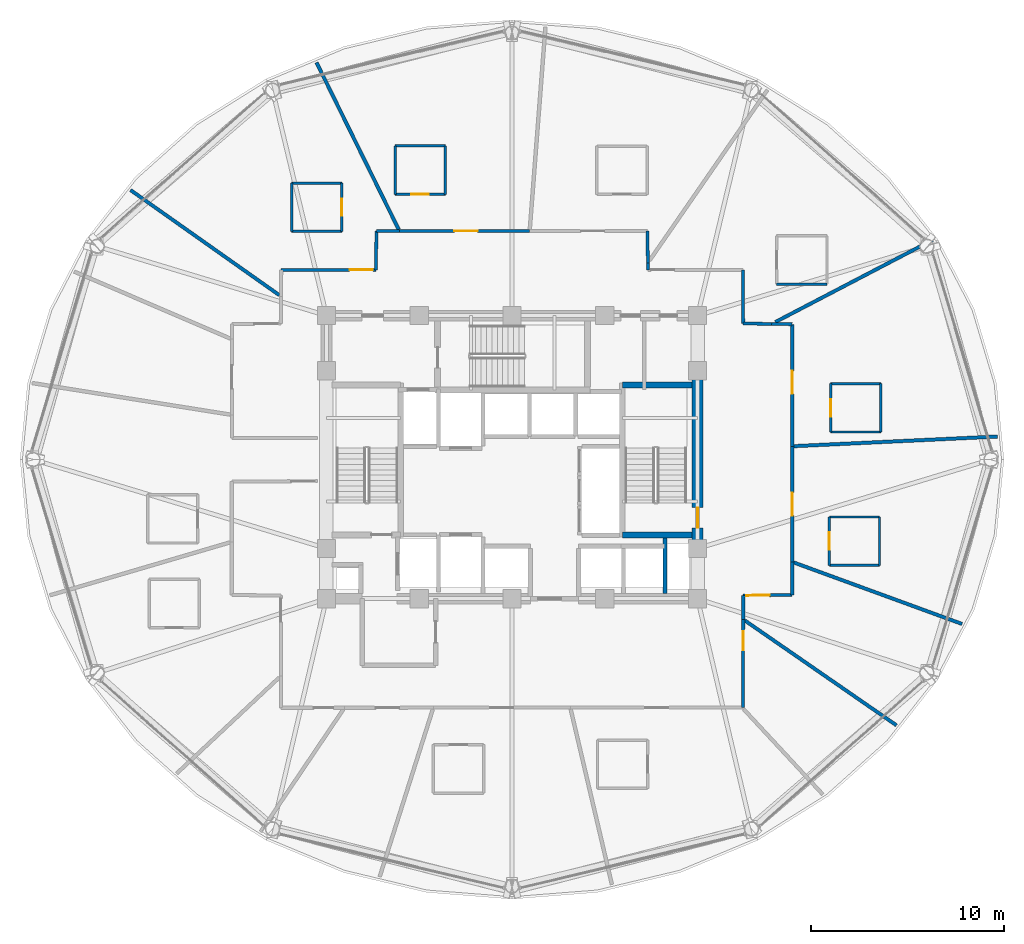
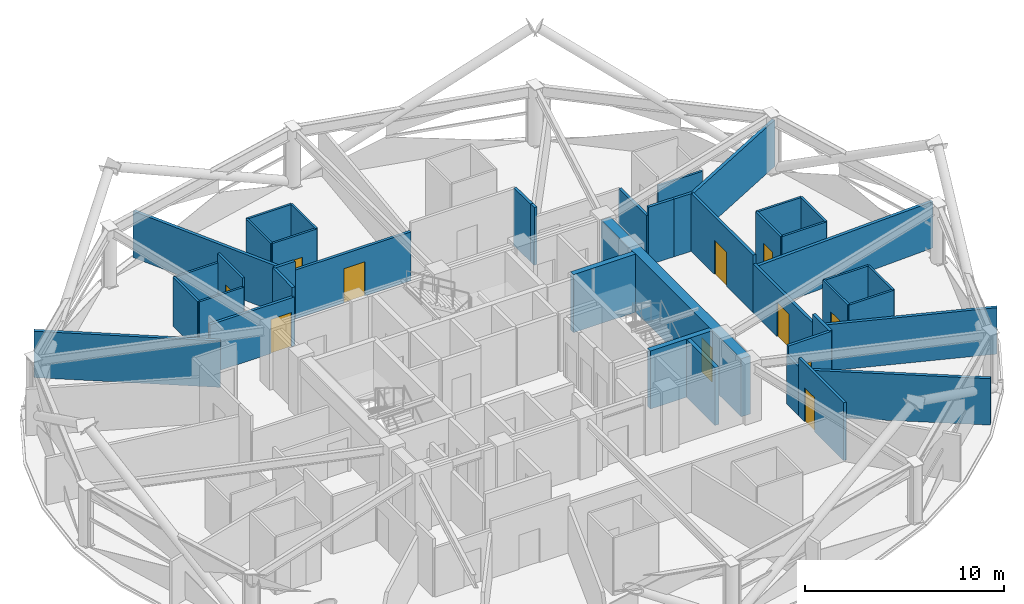
# One storey, part 24 of 29: 42 walls, 11 doors, 11 openings.
"""IFC4 building model written with IfcOpenShell, lengths in metres."""

from ifc_helpers import new_model, si_unit, direction, frame, frame_2d, origin, place, context, subcontext, project, spatial, rectangle, extrude, material, layer, layer_set, type_object, element, fill, save


model = new_model("IFC4")

# Units and contexts
model_context = context("Model", 3, precision=1e-05, world=origin(), true_north=direction((0.0, 1.0)))
body_context = subcontext(model_context, "Body", "Model", "MODEL_VIEW")
ifc_project = project(units=[si_unit("LENGTHUNIT", "METRE"), si_unit("AREAUNIT", "SQUARE_METRE"), si_unit("VOLUMEUNIT", "CUBIC_METRE"), si_unit("PLANEANGLEUNIT", "RADIAN"), si_unit("MASSUNIT", "GRAM", prefix="KILO")], contexts=[model_context])

# Site, building, storey
site_placement = place(None, origin())
site = spatial("IfcSite", under=ifc_project, at=site_placement, CompositionType="ELEMENT")
building_placement = place(site_placement, origin())
building = spatial("IfcBuilding", under=site, at=building_placement, Name="Vantalir Tower", CompositionType="ELEMENT")
storey_placement = place(building_placement, frame((0.0, 0.0, 157.199951171875)))
storey = spatial("IfcBuildingStorey", under=building, at=storey_placement, Name="L39", CompositionType="ELEMENT", Elevation=157.199951171875)

# Walls
ifc_material_1 = material(Name="Moisture-resistant en-suite partition", Category="gypsum")
ifc_layer_1 = layer(ifc_material_1, 0.125)
ifc_layer_set_1 = layer_set([ifc_layer_1], Name="Moisture-resistant en-suite partition")
wall_type_1 = type_object("IfcWallType", Name="WL-BATH-125", PredefinedType="PARTITIONING", material=ifc_layer_set_1)
for number, where, z_axis, x_axis, name in (
    (1, (47.988037109375, 26.425048828125, 0.0), (0.0, 0.0, 1.0), (1.0, 0.0, 0.0), "L39 En-suite 01 South Wall"),
    (2, (47.988037109375, 28.925048828125, 0.0), (0.0, 0.0, 1.0), (1.0, 0.0, 0.0), "L39 En-suite 01 North Wall"),
):
    element("IfcWall", number, at=place(storey_placement, frame(where, z_axis=z_axis, x_axis=x_axis)), inside=storey, type_object=wall_type_1, Name=name, PredefinedType="PARTITIONING", context=body_context, shape_type="SweptSolid", body=[
        extrude(rectangle(XDim=2.599853515625, YDim=0.125, at=frame_2d((1.2998046875, 0.0))), origin(), (0.0, 0.0, 1.0), 3.550048828125),
    ])

# Wall, opening, door
wall_1_placement = place(storey_placement, frame((47.988037109375, 26.425048828125, 0.0), z_axis=(0.0, 0.0, 1.0), x_axis=(0.0, 1.0, 0.0)))
wall_1 = element("IfcWall", 3, at=wall_1_placement, inside=storey, type_object=wall_type_1, Name="L39 En-suite 01 West Wall", PredefinedType="PARTITIONING", context=body_context, shape_type="SweptSolid", body=[
    extrude(rectangle(XDim=2.5, YDim=0.125, at=frame_2d((1.25, 0.0))), origin(), (0.0, 0.0, 1.0), 3.550048828125),
])
opening_1_placement = place(wall_1_placement, frame((0.800048828125, 0.0, 0.0)))
opening_1 = element("IfcOpeningElement", 4, at=opening_1_placement, cuts=wall_1, Name="Opening D-WC", PredefinedType="OPENING", context=body_context, shape_type="SweptSolid", body=[
    extrude(rectangle(XDim=0.89990234375, YDim=2.10009765625, at=frame_2d((0.449951171875, 1.050048828125))), frame((0.0, 0.072509765625, 0.0), z_axis=(0.0, -1.0, 0.0), x_axis=(1.0, 0.0, 0.0)), (0.0, 0.0, 1.0), 0.14501953125),
])
ifc_material_2 = material(Name="Moisture-resistant hardwood door", Category="wood")
door_type_1 = type_object("IfcDoorType", Name="DR-ENSUITE-900", OperationType="NOTDEFINED", PredefinedType="DOOR", material=ifc_material_2)
door_1_placement = place(opening_1_placement, frame((0.89990234375, 0.0, 0.0), z_axis=(0.0, 0.0, 1.0), x_axis=(-1.0, 0.0, 0.0)))
door_1 = element("IfcDoor", 5, at=door_1_placement, inside=storey, type_object=door_type_1, Name="L39 En-suite 01 Door", OperationType="SINGLE_SWING_LEFT", OverallHeight=2.10009765625, OverallWidth=0.89990234375, PredefinedType="DOOR", context=body_context, shape_type="SweptSolid", body=[
    extrude(rectangle(XDim=0.89990234375, YDim=2.10009765625, at=frame_2d((0.449951171875, 1.050048828125))), frame((0.0, 0.02490234375, 0.0), z_axis=(0.0, -1.0, 0.0), x_axis=(1.0, 0.0, 0.0)), (0.0, 0.0, 1.0), 0.050048828125),
])
fill(opening_1, door_1)

# Walls
wall_2_placement = place(storey_placement, frame((50.587890625, 26.425048828125, 0.0), z_axis=(0.0, 0.0, 1.0), x_axis=(0.0, 1.0, 0.0)))
element("IfcWall", 6, at=wall_2_placement, inside=storey, type_object=wall_type_1, Name="L39 En-suite 01 East Wall", PredefinedType="PARTITIONING", context=body_context, shape_type="SweptSolid", body=[
    extrude(rectangle(XDim=2.5, YDim=0.125, at=frame_2d((1.25, 0.0))), origin(), (0.0, 0.0, 1.0), 3.550048828125),
])
wall_3_placement = place(storey_placement, frame((45.198974609375, 34.080078125, 0.0), z_axis=(0.0, 0.0, 1.0), x_axis=(1.0, 0.0, 0.0)))
element("IfcWall", 7, at=wall_3_placement, inside=storey, type_object=wall_type_1, Name="L39 En-suite 02 South Wall", PredefinedType="PARTITIONING", context=body_context, shape_type="SweptSolid", body=[
    extrude(rectangle(XDim=2.60009765625, YDim=0.125, at=frame_2d((1.300048828125, 0.0))), origin(), (0.0, 0.0, 1.0), 3.006103515625),
])

# Wall, opening, door
wall_4_placement = place(storey_placement, frame((25.448974609375, 38.72705078125, 0.0), z_axis=(0.0, 0.0, 1.0), x_axis=(1.0, 0.0, 0.0)))
wall_4 = element("IfcWall", 8, at=wall_4_placement, inside=storey, type_object=wall_type_1, Name="L39 En-suite 04 South Wall", PredefinedType="PARTITIONING", context=body_context, shape_type="SweptSolid", body=[
    extrude(rectangle(XDim=2.60009765625, YDim=0.125, at=frame_2d((1.300048828125, 0.0))), origin(), (0.0, 0.0, 1.0), 3.550048828125),
])
opening_2_placement = place(wall_4_placement, frame((0.85009765625, 0.0, 0.0)))
opening_2 = element("IfcOpeningElement", 9, at=opening_2_placement, cuts=wall_4, Name="Opening D-WC", PredefinedType="OPENING", context=body_context, shape_type="SweptSolid", body=[
    extrude(rectangle(XDim=0.89990234375, YDim=2.10009765625, at=frame_2d((0.449951171875, 1.050048828125))), frame((0.0, 0.072509765625, 0.0), z_axis=(0.0, -1.0, 0.0), x_axis=(1.0, 0.0, 0.0)), (0.0, 0.0, 1.0), 0.14501953125),
])
door_2_placement = place(opening_2_placement, origin())
door_2 = element("IfcDoor", 10, at=door_2_placement, inside=storey, type_object=door_type_1, Name="L39 En-suite 04 Door", OperationType="SINGLE_SWING_RIGHT", OverallHeight=2.10009765625, OverallWidth=0.89990234375, PredefinedType="DOOR", context=body_context, shape_type="SweptSolid", body=[
    extrude(rectangle(XDim=0.89990234375, YDim=2.10009765625, at=frame_2d((0.449951171875, 1.050048828125))), frame((0.0, 0.02490234375, 0.0), z_axis=(0.0, -1.0, 0.0), x_axis=(1.0, 0.0, 0.0)), (0.0, 0.0, 1.0), 0.050048828125),
])
fill(opening_2, door_2)

# Walls
wall_5_placement = place(storey_placement, frame((25.448974609375, 41.22705078125, 0.0), z_axis=(0.0, 0.0, 1.0), x_axis=(1.0, 0.0, 0.0)))
element("IfcWall", 11, at=wall_5_placement, inside=storey, type_object=wall_type_1, Name="L39 En-suite 04 North Wall", PredefinedType="PARTITIONING", context=body_context, shape_type="SweptSolid", body=[
    extrude(rectangle(XDim=2.60009765625, YDim=0.125, at=frame_2d((1.300048828125, 0.0))), origin(), (0.0, 0.0, 1.0), 3.550048828125),
])
for number, where, z_axis, x_axis, name in (
    (12, (25.448974609375, 38.72705078125, 0.0), (0.0, 0.0, 1.0), (0.0, 1.0, 0.0), "L39 En-suite 04 West Wall"),
    (13, (28.049072265625, 38.72705078125, 0.0), (0.0, 0.0, 1.0), (0.0, 1.0, 0.0), "L39 En-suite 04 East Wall"),
):
    element("IfcWall", number, at=place(storey_placement, frame(where, z_axis=z_axis, x_axis=x_axis)), inside=storey, type_object=wall_type_1, Name=name, PredefinedType="PARTITIONING", context=body_context, shape_type="SweptSolid", body=[
        extrude(rectangle(XDim=2.5, YDim=0.125, at=frame_2d((1.25, 0.0))), origin(), (0.0, 0.0, 1.0), 3.550048828125),
    ])
for number, where, z_axis, x_axis, name in (
    (14, (20.097900390625, 36.806884765625, 0.0), (0.0, 0.0, 1.0), (1.0, 0.0, 0.0), "L39 En-suite 05 South Wall"),
    (15, (20.097900390625, 39.306884765625, 0.0), (0.0, 0.0, 1.0), (1.0, 0.0, 0.0), "L39 En-suite 05 North Wall"),
):
    element("IfcWall", number, at=place(storey_placement, frame(where, z_axis=z_axis, x_axis=x_axis)), inside=storey, type_object=wall_type_1, Name=name, PredefinedType="PARTITIONING", context=body_context, shape_type="SweptSolid", body=[
        extrude(rectangle(XDim=2.60009765625, YDim=0.125, at=frame_2d((1.300048828125, 0.0))), origin(), (0.0, 0.0, 1.0), 3.006103515625),
    ])
wall_6_placement = place(storey_placement, frame((20.097900390625, 36.806884765625, 0.0), z_axis=(0.0, 0.0, 1.0), x_axis=(0.0, 1.0, 0.0)))
element("IfcWall", 16, at=wall_6_placement, inside=storey, type_object=wall_type_1, Name="L39 En-suite 05 West Wall", PredefinedType="PARTITIONING", context=body_context, shape_type="SweptSolid", body=[
    extrude(rectangle(XDim=2.5, YDim=0.125, at=frame_2d((1.25, 0.0))), origin(), (0.0, 0.0, 1.0), 3.006103515625),
])

# Wall, opening, door
wall_7_placement = place(storey_placement, frame((22.697998046875, 36.806884765625, 0.0), z_axis=(0.0, 0.0, 1.0), x_axis=(0.0, 1.0, 0.0)))
wall_7 = element("IfcWall", 17, at=wall_7_placement, inside=storey, type_object=wall_type_1, Name="L39 En-suite 05 East Wall", PredefinedType="PARTITIONING", context=body_context, shape_type="SweptSolid", body=[
    extrude(rectangle(XDim=2.5, YDim=0.125, at=frame_2d((1.25, 0.0))), origin(), (0.0, 0.0, 1.0), 3.550048828125),
])
opening_3_placement = place(wall_7_placement, frame((0.800048828125, 0.0, 0.0)))
opening_3 = element("IfcOpeningElement", 18, at=opening_3_placement, cuts=wall_7, Name="Opening D-WC", PredefinedType="OPENING", context=body_context, shape_type="SweptSolid", body=[
    extrude(rectangle(XDim=0.89990234375, YDim=2.10009765625, at=frame_2d((0.449951171875, 1.050048828125))), frame((0.0, 0.072509765625, 0.0), z_axis=(0.0, -1.0, 0.0), x_axis=(1.0, 0.0, 0.0)), (0.0, 0.0, 1.0), 0.14501953125),
])
door_3_placement = place(opening_3_placement, origin())
door_3 = element("IfcDoor", 19, at=door_3_placement, inside=storey, type_object=door_type_1, Name="L39 En-suite 05 Door", OperationType="SINGLE_SWING_LEFT", OverallHeight=2.10009765625, OverallWidth=0.89990234375, PredefinedType="DOOR", context=body_context, shape_type="SweptSolid", body=[
    extrude(rectangle(XDim=0.89990234375, YDim=2.10009765625, at=frame_2d((0.449951171875, 1.050048828125))), frame((0.0, 0.02490234375, 0.0), z_axis=(0.0, -1.0, 0.0), x_axis=(1.0, 0.0, 0.0)), (0.0, 0.0, 1.0), 0.050048828125),
])
fill(opening_3, door_3)

# Walls
for number, where, z_axis, x_axis, name in (
    (20, (47.9169921875, 19.527099609375, 0.0), (0.0, 0.0, 1.0), (1.0, 0.0, 0.0), "L39 En-suite 16 South Wall"),
    (21, (47.9169921875, 22.027099609375, 0.0), (0.0, 0.0, 1.0), (1.0, 0.0, 0.0), "L39 En-suite 16 North Wall"),
):
    element("IfcWall", number, at=place(storey_placement, frame(where, z_axis=z_axis, x_axis=x_axis)), inside=storey, type_object=wall_type_1, Name=name, PredefinedType="PARTITIONING", context=body_context, shape_type="SweptSolid", body=[
        extrude(rectangle(XDim=2.60009765625, YDim=0.125, at=frame_2d((1.300048828125, 0.0))), origin(), (0.0, 0.0, 1.0), 3.550048828125),
    ])

# Wall, opening, door
wall_8_placement = place(storey_placement, frame((47.9169921875, 19.527099609375, 0.0), z_axis=(0.0, 0.0, 1.0), x_axis=(0.0, 1.0, 0.0)))
wall_8 = element("IfcWall", 22, at=wall_8_placement, inside=storey, type_object=wall_type_1, Name="L39 En-suite 16 West Wall", PredefinedType="PARTITIONING", context=body_context, shape_type="SweptSolid", body=[
    extrude(rectangle(XDim=2.5, YDim=0.125, at=frame_2d((1.25, 0.0))), origin(), (0.0, 0.0, 1.0), 3.550048828125),
])
opening_4_placement = place(wall_8_placement, frame((0.800048828125, 0.0, 0.0)))
opening_4 = element("IfcOpeningElement", 23, at=opening_4_placement, cuts=wall_8, Name="Opening D-WC", PredefinedType="OPENING", context=body_context, shape_type="SweptSolid", body=[
    extrude(rectangle(XDim=0.89990234375, YDim=2.10009765625, at=frame_2d((0.449951171875, 1.050048828125))), frame((0.0, 0.072509765625, 0.0), z_axis=(0.0, -1.0, 0.0), x_axis=(1.0, 0.0, 0.0)), (0.0, 0.0, 1.0), 0.14501953125),
])
door_4_placement = place(opening_4_placement, frame((0.89990234375, 0.0, 0.0), z_axis=(0.0, 0.0, 1.0), x_axis=(-1.0, 0.0, 0.0)))
door_4 = element("IfcDoor", 24, at=door_4_placement, inside=storey, type_object=door_type_1, Name="L39 En-suite 16 Door", OperationType="SINGLE_SWING_RIGHT", OverallHeight=2.10009765625, OverallWidth=0.89990234375, PredefinedType="DOOR", context=body_context, shape_type="SweptSolid", body=[
    extrude(rectangle(XDim=0.89990234375, YDim=2.10009765625, at=frame_2d((0.449951171875, 1.050048828125))), frame((0.0, 0.02490234375, 0.0), z_axis=(0.0, -1.0, 0.0), x_axis=(1.0, 0.0, 0.0)), (0.0, 0.0, 1.0), 0.050048828125),
])
fill(opening_4, door_4)

# Wall
wall_9_placement = place(storey_placement, frame((50.51708984375, 19.527099609375, 0.0), z_axis=(0.0, 0.0, 1.0), x_axis=(0.0, 1.0, 0.0)))
element("IfcWall", 25, at=wall_9_placement, inside=storey, type_object=wall_type_1, Name="L39 En-suite 16 East Wall", PredefinedType="PARTITIONING", context=body_context, shape_type="SweptSolid", body=[
    extrude(rectangle(XDim=2.5, YDim=0.125, at=frame_2d((1.25, 0.0))), origin(), (0.0, 0.0, 1.0), 3.550048828125),
])

# Wall, opening, door
ifc_material_3 = material(Name="Concrete C60/75", Category="concrete")
ifc_layer_2 = layer(ifc_material_3, 0.550048828125)
ifc_layer_set_2 = layer_set([ifc_layer_2], Name="Concrete C60/75")
wall_type_2 = type_object("IfcWallType", Name="WL-CORE-550", PredefinedType="SHEAR", material=ifc_layer_set_2)
wall_10_placement = place(storey_placement, frame((41.10009765625, 18.074951171875, 0.0), z_axis=(0.0, 0.0, 1.0), x_axis=(0.0, 1.0, 0.0)))
wall_10 = element("IfcWall", 26, at=wall_10_placement, inside=storey, type_object=wall_type_2, Name="L39 Core Shear Wall East", PredefinedType="SHEAR", context=body_context, shape_type="SweptSolid", body=[
    extrude(rectangle(XDim=14.10009765625, YDim=0.550048828125, at=frame_2d((7.050048828125, 0.0))), origin(), (0.0, 0.0, 1.0), 3.570068359375),
])
opening_5_placement = place(wall_10_placement, frame((3.385009765625, 0.0, 0.0)))
opening_5 = element("IfcOpeningElement", 27, at=opening_5_placement, cuts=wall_10, Name="Opening D-ST", PredefinedType="OPENING", context=body_context, shape_type="SweptSolid", body=[
    extrude(rectangle(XDim=1.050048828125, YDim=2.10009765625, at=frame_2d((0.52490234375, 1.050048828125))), frame((0.0, 0.284912109375, 0.0), z_axis=(0.0, -1.0, 0.0), x_axis=(1.0, 0.0, 0.0)), (0.0, 0.0, 1.0), 0.570068359375),
])
ifc_material_4 = material(Name="Fire-rated steel door leaf", Category="steel")
door_type_2 = type_object("IfcDoorType", Name="DR-FIRE-STAIR-1050", OperationType="NOTDEFINED", PredefinedType="DOOR", material=ifc_material_4)
door_5_placement = place(opening_5_placement, origin())
door_5 = element("IfcDoor", 28, at=door_5_placement, inside=storey, type_object=door_type_2, Name="L39 Exit Stair ST2 Fire Door", OperationType="SINGLE_SWING_LEFT", OverallHeight=2.10009765625, OverallWidth=1.050048828125, PredefinedType="DOOR", context=body_context, shape_type="SweptSolid", body=[
    extrude(rectangle(XDim=1.050048828125, YDim=2.10009765625, at=frame_2d((0.52490234375, 1.050048828125))), frame((0.0, 0.02490234375, 0.0), z_axis=(0.0, -1.0, 0.0), x_axis=(1.0, 0.0, 0.0)), (0.0, 0.0, 1.0), 0.050048828125),
])
fill(opening_5, door_5)

ifc_material_5 = material(Name="Fire-rated hotel corridor acoustic partition", Category="gypsum")
ifc_layer_3 = layer(ifc_material_5, 0.159912109375)
ifc_layer_set_3 = layer_set([ifc_layer_3], Name="Fire-rated hotel corridor acoustic partition")
wall_type_3 = type_object("IfcWallType", Name="WL-CORR-160", PredefinedType="PARTITIONING", material=ifc_layer_set_3)
wall_11_placement = place(storey_placement, frame((19.56005859375, 34.81201171875, 0.0), z_axis=(0.0, 0.0, 1.0), x_axis=(0.999999821253, 0.000597907217, 0.0)))
wall_11 = element("IfcWall", 29, at=wall_11_placement, inside=storey, type_object=wall_type_3, Name="L39 Corridor Partition 08", PredefinedType="PARTITIONING", context=body_context, shape_type="SweptSolid", body=[
    extrude(rectangle(XDim=4.89990234375, YDim=0.159912109375, at=frame_2d((2.449951171875, 0.0))), origin(), (0.0, 0.0, 1.0), 3.006103515625),
])
opening_6_placement = place(wall_11_placement, frame((3.5400390625, 0.0, 0.0)))
opening_6 = element("IfcOpeningElement", 30, at=opening_6_placement, cuts=wall_11, Name="Opening D-STE", PredefinedType="OPENING", context=body_context, shape_type="SweptSolid", body=[
    extrude(rectangle(XDim=1.199951171875, YDim=2.10009765625, at=frame_2d((0.60009765625, 1.050048828125))), frame((0.0, 0.08984375, 0.0), z_axis=(0.0, -1.0, 0.0), x_axis=(1.0, 0.0, 0.0)), (0.0, 0.0, 1.0), 0.179931640625),
])
ifc_material_6 = material(Name="Solid-core teak veneer suite entrance door", Category="wood")
door_type_3 = type_object("IfcDoorType", Name="DR-SUITE-ENTRY-1200", OperationType="NOTDEFINED", PredefinedType="DOOR", material=ifc_material_6)
door_6_placement = place(opening_6_placement, origin())
door_6 = element("IfcDoor", 31, at=door_6_placement, inside=storey, type_object=door_type_3, Name="L39 Corner Panorama Hotel Suite 05 Door", OperationType="SINGLE_SWING_RIGHT", OverallHeight=2.10009765625, OverallWidth=1.199951171875, PredefinedType="DOOR", context=body_context, shape_type="SweptSolid", body=[
    extrude(rectangle(XDim=1.199951171875, YDim=2.10009765625, at=frame_2d((0.60009765625, 1.050048828125))), frame((0.0, 0.02490234375, 0.0), z_axis=(0.0, -1.0, 0.0), x_axis=(1.0, 0.0, 0.0)), (0.0, 0.0, 1.0), 0.050048828125),
])
fill(opening_6, door_6)

# Walls
wall_12_placement = place(storey_placement, frame((24.4599609375, 34.81494140625, 0.0), z_axis=(0.0, 0.0, 1.0), x_axis=(0.01251572883, 0.999921675199, 0.0)))
element("IfcWall", 32, at=wall_12_placement, inside=storey, type_object=wall_type_3, Name="L39 Corridor Partition 09", PredefinedType="PARTITIONING", context=body_context, shape_type="SweptSolid", body=[
    extrude(rectangle(XDim=2.00927734375, YDim=0.159912109375, at=frame_2d((1.004638671875, 0.0))), origin(), (0.0, 0.0, 1.0), 3.550048828125),
])
wall_13_placement = place(storey_placement, frame((24.485107421875, 36.823974609375, 0.0), z_axis=(0.0, 0.0, 1.0), x_axis=(0.999999664894, 0.000818665301, 0.0)))
element("IfcWall", 33, at=wall_13_placement, inside=storey, type_object=wall_type_3, Name="L39 Corridor Partition 10", PredefinedType="PARTITIONING", context=body_context, shape_type="SweptSolid", body=[
    extrude(rectangle(XDim=1.19287109375, YDim=0.159912109375, at=frame_2d((0.596435546875, 0.0))), origin(), (0.0, 0.0, 1.0), 3.550048828125),
])

# Wall, opening, door
wall_14_placement = place(storey_placement, frame((25.677978515625, 36.824951171875, 0.0), z_axis=(0.0, 0.0, 1.0), x_axis=(0.999999989491, 0.000144974809, 0.0)))
wall_14 = element("IfcWall", 34, at=wall_14_placement, inside=storey, type_object=wall_type_3, Name="L39 Corridor Partition 11", PredefinedType="PARTITIONING", context=body_context, shape_type="SweptSolid", body=[
    extrude(rectangle(XDim=6.736083984375, YDim=0.159912109375, at=frame_2d((3.3681640625, 0.0))), origin(), (0.0, 0.0, 1.0), 3.006103515625),
])
opening_7_placement = place(wall_14_placement, frame((2.843017578125, 0.0, 0.0)))
opening_7 = element("IfcOpeningElement", 35, at=opening_7_placement, cuts=wall_14, Name="Opening D-STE", PredefinedType="OPENING", context=body_context, shape_type="SweptSolid", body=[
    extrude(rectangle(XDim=1.199951171875, YDim=2.10009765625, at=frame_2d((0.60009765625, 1.050048828125))), frame((0.0, 0.08984375, 0.0), z_axis=(0.0, -1.0, 0.0), x_axis=(1.0, 0.0, 0.0)), (0.0, 0.0, 1.0), 0.179931640625),
])
door_7_placement = place(opening_7_placement, origin())
door_7 = element("IfcDoor", 36, at=door_7_placement, inside=storey, type_object=door_type_3, Name="L39 Executive Club Hotel Suite 04 Door", OperationType="SINGLE_SWING_LEFT", OverallHeight=2.10009765625, OverallWidth=1.199951171875, PredefinedType="DOOR", context=body_context, shape_type="SweptSolid", body=[
    extrude(rectangle(XDim=1.199951171875, YDim=2.10009765625, at=frame_2d((0.60009765625, 1.050048828125))), frame((0.0, 0.02490234375, 0.0), z_axis=(0.0, -1.0, 0.0), x_axis=(1.0, 0.0, 0.0)), (0.0, 0.0, 1.0), 0.050048828125),
])
fill(opening_7, door_7)

# Walls
wall_15_placement = place(storey_placement, frame((38.50390625, 36.826904296875, 0.0), z_axis=(0.0, 0.0, 1.0), x_axis=(0.017616454452, -0.999844818226, 0.0)))
element("IfcWall", 37, at=wall_15_placement, inside=storey, type_object=wall_type_3, Name="L39 Corridor Partition 13", PredefinedType="PARTITIONING", context=body_context, shape_type="SweptSolid", body=[
    extrude(rectangle(XDim=1.649169921875, YDim=0.159912109375, at=frame_2d((0.82470703125, 0.0))), origin(), (0.0, 0.0, 1.0), 3.550048828125),
])
wall_16_placement = place(storey_placement, frame((38.532958984375, 35.177978515625, 0.0), z_axis=(0.0, 0.0, 1.0), x_axis=(0.01949864601, -0.99980988333, 0.0)))
element("IfcWall", 38, at=wall_16_placement, inside=storey, type_object=wall_type_3, Name="L39 Corridor Partition 14", PredefinedType="PARTITIONING", context=body_context, shape_type="SweptSolid", body=[
    extrude(rectangle(XDim=0.363037109375, YDim=0.159912109375, at=frame_2d((0.181640625, 0.0))), origin(), (0.0, 0.0, 1.0), 3.550048828125),
])
wall_17_placement = place(storey_placement, frame((43.447021484375, 34.80810546875, 0.0), z_axis=(0.0, 0.0, 1.0), x_axis=(0.006526585281, -0.999978701615, 0.0)))
element("IfcWall", 39, at=wall_17_placement, inside=storey, type_object=wall_type_3, Name="L39 Corridor Partition 16", PredefinedType="PARTITIONING", context=body_context, shape_type="SweptSolid", body=[
    extrude(rectangle(XDim=2.76806640625, YDim=0.159912109375, at=frame_2d((1.384033203125, 0.0))), origin(), (0.0, 0.0, 1.0), 3.006103515625),
])
wall_18_placement = place(storey_placement, frame((43.465087890625, 32.0400390625, 0.0), z_axis=(0.0, 0.0, 1.0), x_axis=(0.999878959925, -0.015558454268, 0.0)))
element("IfcWall", 40, at=wall_18_placement, inside=storey, type_object=wall_type_3, Name="L39 Corridor Partition 17", PredefinedType="PARTITIONING", context=body_context, shape_type="SweptSolid", body=[
    extrude(rectangle(XDim=1.47509765625, YDim=0.159912109375, at=frame_2d((0.737548828125, 0.0))), origin(), (0.0, 0.0, 1.0), 3.550048828125),
])
wall_19_placement = place(storey_placement, frame((44.93994140625, 32.01708984375, 0.0), z_axis=(0.0, 0.0, 1.0), x_axis=(0.999870072285, -0.016119508305, 0.0)))
element("IfcWall", 41, at=wall_19_placement, inside=storey, type_object=wall_type_3, Name="L39 Corridor Partition 18", PredefinedType="PARTITIONING", context=body_context, shape_type="SweptSolid", body=[
    extrude(rectangle(XDim=1.060302734375, YDim=0.159912109375, at=frame_2d((0.5302734375, 0.0))), origin(), (0.0, 0.0, 1.0), 3.550048828125),
])

# Wall, opening, door
wall_20_placement = place(storey_placement, frame((46.0, 32.0, 0.0), z_axis=(0.0, 0.0, 1.0), x_axis=(0.0, -1.0, 0.0)))
wall_20 = element("IfcWall", 42, at=wall_20_placement, inside=storey, type_object=wall_type_3, Name="L39 Corridor Partition 19", PredefinedType="PARTITIONING", context=body_context, shape_type="SweptSolid", body=[
    extrude(rectangle(XDim=6.31298828125, YDim=0.159912109375, at=frame_2d((3.156494140625, 0.0))), origin(), (0.0, 0.0, 1.0), 3.550048828125),
])
opening_8_placement = place(wall_20_placement, frame((2.406982421875, 0.0, 0.0)))
opening_8 = element("IfcOpeningElement", 43, at=opening_8_placement, cuts=wall_20, Name="Opening D-STE", PredefinedType="OPENING", context=body_context, shape_type="SweptSolid", body=[
    extrude(rectangle(XDim=1.199951171875, YDim=2.10009765625, at=frame_2d((0.60009765625, 1.050048828125))), frame((0.0, 0.08984375, 0.0), z_axis=(0.0, -1.0, 0.0), x_axis=(1.0, 0.0, 0.0)), (0.0, 0.0, 1.0), 0.179931640625),
])
door_8_placement = place(opening_8_placement, origin())
door_8 = element("IfcDoor", 44, at=door_8_placement, inside=storey, type_object=door_type_3, Name="L39 Corner Panorama Hotel Suite 01 Door", OperationType="SINGLE_SWING_RIGHT", OverallHeight=2.10009765625, OverallWidth=1.199951171875, PredefinedType="DOOR", context=body_context, shape_type="SweptSolid", body=[
    extrude(rectangle(XDim=1.199951171875, YDim=2.10009765625, at=frame_2d((0.60009765625, 1.050048828125))), frame((0.0, 0.02490234375, 0.0), z_axis=(0.0, -1.0, 0.0), x_axis=(1.0, 0.0, 0.0)), (0.0, 0.0, 1.0), 0.050048828125),
])
fill(opening_8, door_8)

wall_21_placement = place(storey_placement, frame((46.0, 25.68701171875, 0.0), z_axis=(0.0, 0.0, 1.0), x_axis=(0.0, -1.0, 0.0)))
wall_21 = element("IfcWall", 45, at=wall_21_placement, inside=storey, type_object=wall_type_3, Name="L39 Corridor Partition 20", PredefinedType="PARTITIONING", context=body_context, shape_type="SweptSolid", body=[
    extrude(rectangle(XDim=5.984130859375, YDim=0.159912109375, at=frame_2d((2.9921875, 0.0))), origin(), (0.0, 0.0, 1.0), 3.006103515625),
])
opening_9_placement = place(wall_21_placement, frame((2.39208984375, 0.0, 0.0)))
opening_9 = element("IfcOpeningElement", 46, at=opening_9_placement, cuts=wall_21, Name="Opening D-STE", PredefinedType="OPENING", context=body_context, shape_type="SweptSolid", body=[
    extrude(rectangle(XDim=1.199951171875, YDim=2.10009765625, at=frame_2d((0.60009765625, 1.050048828125))), frame((0.0, 0.08984375, 0.0), z_axis=(0.0, -1.0, 0.0), x_axis=(1.0, 0.0, 0.0)), (0.0, 0.0, 1.0), 0.179931640625),
])
door_9_placement = place(opening_9_placement, origin())
door_9 = element("IfcDoor", 47, at=door_9_placement, inside=storey, type_object=door_type_3, Name="L39 Corner Panorama Hotel Suite 16 Door", OperationType="SINGLE_SWING_LEFT", OverallHeight=2.10009765625, OverallWidth=1.199951171875, PredefinedType="DOOR", context=body_context, shape_type="SweptSolid", body=[
    extrude(rectangle(XDim=1.199951171875, YDim=2.10009765625, at=frame_2d((0.60009765625, 1.050048828125))), frame((0.0, 0.02490234375, 0.0), z_axis=(0.0, -1.0, 0.0), x_axis=(1.0, 0.0, 0.0)), (0.0, 0.0, 1.0), 0.050048828125),
])
fill(opening_9, door_9)

# Wall
wall_22_placement = place(storey_placement, frame((46.0, 19.702880859375, 0.0), z_axis=(0.0, 0.0, 1.0), x_axis=(0.0, -1.0, 0.0)))
element("IfcWall", 48, at=wall_22_placement, inside=storey, type_object=wall_type_3, Name="L39 Corridor Partition 21", PredefinedType="PARTITIONING", context=body_context, shape_type="SweptSolid", body=[
    extrude(rectangle(XDim=1.706787109375, YDim=0.159912109375, at=frame_2d((0.853515625, 0.0))), origin(), (0.0, 0.0, 1.0), 3.550048828125),
])

# Wall, opening, door
wall_23_placement = place(storey_placement, frame((46.0, 17.99609375, 0.0), z_axis=(0.0, 0.0, 1.0), x_axis=(-0.999898426234, -0.014252621312, 0.0)))
wall_23 = element("IfcWall", 49, at=wall_23_placement, inside=storey, type_object=wall_type_3, Name="L39 Corridor Partition 22", PredefinedType="PARTITIONING", context=body_context, shape_type="SweptSolid", body=[
    extrude(rectangle(XDim=2.53515625, YDim=0.159912109375, at=frame_2d((1.267578125, 0.0))), origin(), (0.0, 0.0, 1.0), 3.550048828125),
])
opening_10_placement = place(wall_23_placement, frame((1.175048828125, 0.0, 0.0)))
opening_10 = element("IfcOpeningElement", 50, at=opening_10_placement, cuts=wall_23, Name="Opening D-STE", PredefinedType="OPENING", context=body_context, shape_type="SweptSolid", body=[
    extrude(rectangle(XDim=1.199951171875, YDim=2.10009765625, at=frame_2d((0.60009765625, 1.050048828125))), frame((0.0, 0.08984375, 0.0), z_axis=(0.0, -1.0, 0.0), x_axis=(1.0, 0.0, 0.0)), (0.0, 0.0, 1.0), 0.179931640625),
])
door_10_placement = place(opening_10_placement, origin())
door_10 = element("IfcDoor", 51, at=door_10_placement, inside=storey, type_object=door_type_3, Name="L39 Club Reading Lounge 15 Door", OperationType="SINGLE_SWING_RIGHT", OverallHeight=2.10009765625, OverallWidth=1.199951171875, PredefinedType="DOOR", context=body_context, shape_type="SweptSolid", body=[
    extrude(rectangle(XDim=1.199951171875, YDim=2.10009765625, at=frame_2d((0.60009765625, 1.050048828125))), frame((0.0, 0.02490234375, 0.0), z_axis=(0.0, -1.0, 0.0), x_axis=(1.0, 0.0, 0.0)), (0.0, 0.0, 1.0), 0.050048828125),
])
fill(opening_10, door_10)

# Wall
wall_24_placement = place(storey_placement, frame((43.465087890625, 17.9599609375, 0.0), z_axis=(0.0, 0.0, 1.0), x_axis=(-0.000793335728, -0.999999685309, 0.0)))
element("IfcWall", 52, at=wall_24_placement, inside=storey, type_object=wall_type_3, Name="L39 Corridor Partition 23", PredefinedType="PARTITIONING", context=body_context, shape_type="SweptSolid", body=[
    extrude(rectangle(XDim=1.23095703125, YDim=0.159912109375, at=frame_2d((0.615478515625, 0.0))), origin(), (0.0, 0.0, 1.0), 3.006103515625),
])

# Wall, opening, door
wall_25_placement = place(storey_placement, frame((43.464111328125, 16.72900390625, 0.0), z_axis=(0.0, 0.0, 1.0), x_axis=(-0.001338185291, -0.99999910463, 0.0)))
wall_25 = element("IfcWall", 53, at=wall_25_placement, inside=storey, type_object=wall_type_3, Name="L39 Corridor Partition 24", PredefinedType="PARTITIONING", context=body_context, shape_type="SweptSolid", body=[
    extrude(rectangle(XDim=4.56103515625, YDim=0.159912109375, at=frame_2d((2.280517578125, 0.0))), origin(), (0.0, 0.0, 1.0), 3.550048828125),
])
opening_11_placement = place(wall_25_placement, frame((0.60205078125, 0.0, 0.0)))
opening_11 = element("IfcOpeningElement", 54, at=opening_11_placement, cuts=wall_25, Name="Opening D-GUEST", PredefinedType="OPENING", context=body_context, shape_type="SweptSolid", body=[
    extrude(rectangle(XDim=1.0, YDim=2.10009765625, at=frame_2d((0.5, 1.050048828125))), frame((0.0, 0.08984375, 0.0), z_axis=(0.0, -1.0, 0.0), x_axis=(1.0, 0.0, 0.0)), (0.0, 0.0, 1.0), 0.179931640625),
])
ifc_material_7 = material(Name="Solid-core teak veneer acoustic fire door", Category="wood")
door_type_4 = type_object("IfcDoorType", Name="DR-GUEST-ENTRY-1000", OperationType="NOTDEFINED", PredefinedType="DOOR", material=ifc_material_7)
door_11_placement = place(opening_11_placement, origin())
door_11 = element("IfcDoor", 55, at=door_11_placement, inside=storey, type_object=door_type_4, Name="L39 Executive Business Study 14 Door", OperationType="SINGLE_SWING_LEFT", OverallHeight=2.10009765625, OverallWidth=1.0, PredefinedType="DOOR", context=body_context, shape_type="SweptSolid", body=[
    extrude(rectangle(XDim=1.0, YDim=2.10009765625, at=frame_2d((0.5, 1.050048828125))), frame((0.0, 0.02490234375, 0.0), z_axis=(0.0, -1.0, 0.0), x_axis=(1.0, 0.0, 0.0)), (0.0, 0.0, 1.0), 0.050048828125),
])
fill(opening_11, door_11)

# Walls
ifc_material_8 = material(Name="Concrete blockwork with fireboard lining", Category="masonry")
ifc_layer_4 = layer(ifc_material_8, 0.219970703125)
ifc_layer_set_4 = layer_set([ifc_layer_4], Name="Concrete blockwork with fireboard lining")
wall_type_4 = type_object("IfcWallType", Name="WL-FFL-220", PredefinedType="PARTITIONING", material=ifc_layer_set_4)
wall_26_placement = place(storey_placement, frame((39.419921875, 18.074951171875, 0.0), z_axis=(0.0, 0.0, 1.0), x_axis=(0.0, 1.0, 0.0)))
element("IfcWall", 56, at=wall_26_placement, inside=storey, type_object=wall_type_4, Name="L39 East MEP Riser Wall W", PredefinedType="PARTITIONING", context=body_context, shape_type="SweptSolid", body=[
    extrude(rectangle(XDim=2.875, YDim=0.219970703125, at=frame_2d((1.4375, 0.0))), origin(), (0.0, 0.0, 1.0), 3.550048828125),
])
ifc_material_9 = material(Name="Twin-stud acoustic fire-rated gypsum partition", Category="gypsum")
ifc_layer_5 = layer(ifc_material_9, 0.179931640625)
ifc_layer_set_5 = layer_set([ifc_layer_5], Name="Twin-stud acoustic fire-rated gypsum partition")
wall_type_5 = type_object("IfcWallType", Name="WL-GUEST-180", PredefinedType="PARTITIONING", material=ifc_layer_set_5)
wall_27_placement = place(storey_placement, frame((46.074951171875, 25.69091796875, 0.0), z_axis=(0.0, 0.0, 1.0), x_axis=(0.998881289469, 0.04728815443, 0.0)))
element("IfcWall", 57, at=wall_27_placement, inside=storey, type_object=wall_type_5, Name="L39 Radial Suite Partition 01", PredefinedType="PARTITIONING", context=body_context, shape_type="SweptSolid", body=[
    extrude(rectangle(XDim=10.552734375, YDim=0.179931640625, at=frame_2d((5.2763671875, 0.0))), origin(), (0.0, 0.0, 1.0), 2.85205078125),
])
wall_28_placement = place(storey_placement, frame((45.1279296875, 32.114990234375, 0.0), z_axis=(0.0, 0.0, 1.0), x_axis=(0.886452073938, 0.46282039779, 0.0)))
element("IfcWall", 58, at=wall_28_placement, inside=storey, type_object=wall_type_5, Name="L39 Radial Suite Partition 02", PredefinedType="PARTITIONING", context=body_context, shape_type="SweptSolid", body=[
    extrude(rectangle(XDim=9.182861328125, YDim=0.179931640625, at=frame_2d((4.59130859375, 0.0))), origin(), (0.0, 0.0, 1.0), 2.85205078125),
])
wall_29_placement = place(storey_placement, frame((25.638916015625, 36.902099609375, 0.0), z_axis=(0.0, 0.0, 1.0), x_axis=(-0.44167900267, 0.897173148617, 0.0)))
element("IfcWall", 59, at=wall_29_placement, inside=storey, type_object=wall_type_5, Name="L39 Radial Suite Partition 05", PredefinedType="PARTITIONING", context=body_context, shape_type="SweptSolid", body=[
    extrude(rectangle(XDim=9.631103515625, YDim=0.179931640625, at=frame_2d((4.8154296875, 0.0))), origin(), (0.0, 0.0, 1.0), 2.85205078125),
])
wall_30_placement = place(storey_placement, frame((19.4599609375, 33.506103515625, 0.0), z_axis=(0.0, 0.0, 1.0), x_axis=(-0.816788462003, 0.576937265513, 0.0)))
element("IfcWall", 60, at=wall_30_placement, inside=storey, type_object=wall_type_5, Name="L39 Radial Suite Partition 06", PredefinedType="PARTITIONING", context=body_context, shape_type="SweptSolid", body=[
    extrude(rectangle(XDim=9.4306640625, YDim=0.179931640625, at=frame_2d((4.71533203125, 0.0))), origin(), (0.0, 0.0, 1.0), 2.85205078125),
])
wall_31_placement = place(storey_placement, frame((43.5400390625, 16.677001953125, 0.0), z_axis=(0.0, 0.0, 1.0), x_axis=(0.822542691302, -0.568703368186, 0.0)))
element("IfcWall", 61, at=wall_31_placement, inside=storey, type_object=wall_type_5, Name="L39 Radial Suite Partition 15", PredefinedType="PARTITIONING", context=body_context, shape_type="SweptSolid", body=[
    extrude(rectangle(XDim=9.549560546875, YDim=0.179931640625, at=frame_2d((4.77490234375, 0.0))), origin(), (0.0, 0.0, 1.0), 2.85205078125),
])
wall_32_placement = place(storey_placement, frame((46.074951171875, 19.675048828125, 0.0), z_axis=(0.0, 0.0, 1.0), x_axis=(0.939296078377, -0.343107675731, 0.0)))
element("IfcWall", 62, at=wall_32_placement, inside=storey, type_object=wall_type_5, Name="L39 Radial Suite Partition 16", PredefinedType="PARTITIONING", context=body_context, shape_type="SweptSolid", body=[
    extrude(rectangle(XDim=9.27734375, YDim=0.179931640625, at=frame_2d((4.638671875, 0.0))), origin(), (0.0, 0.0, 1.0), 2.85205078125),
])
ifc_material_10 = material(Name="Concrete C50/60", Category="concrete")
ifc_layer_6 = layer(ifc_material_10, 0.300048828125)
ifc_layer_set_6 = layer_set([ifc_layer_6], Name="Concrete C50/60")
wall_type_6 = type_object("IfcWallType", Name="WL-STAIR-300", PredefinedType="SHEAR", material=ifc_layer_set_6)
for number, where, z_axis, x_axis, name in (
    (63, (37.2099609375, 21.10009765625, 0.0), (0.0, 0.0, 1.0), (1.0, 0.0, 0.0), "L39 Stair ST2 South Wall"),
    (64, (37.2099609375, 28.85009765625, 0.0), (0.0, 0.0, 1.0), (1.0, 0.0, 0.0), "L39 Stair ST2 North Wall"),
):
    element("IfcWall", number, at=place(storey_placement, frame(where, z_axis=z_axis, x_axis=x_axis)), inside=storey, type_object=wall_type_6, Name=name, PredefinedType="SHEAR", context=body_context, shape_type="SweptSolid", body=[
        extrude(rectangle(XDim=3.614990234375, YDim=0.300048828125, at=frame_2d((1.8076171875, 0.0))), origin(), (0.0, 0.0, 1.0), 3.570068359375),
    ])

save(model, "model.ifc")
